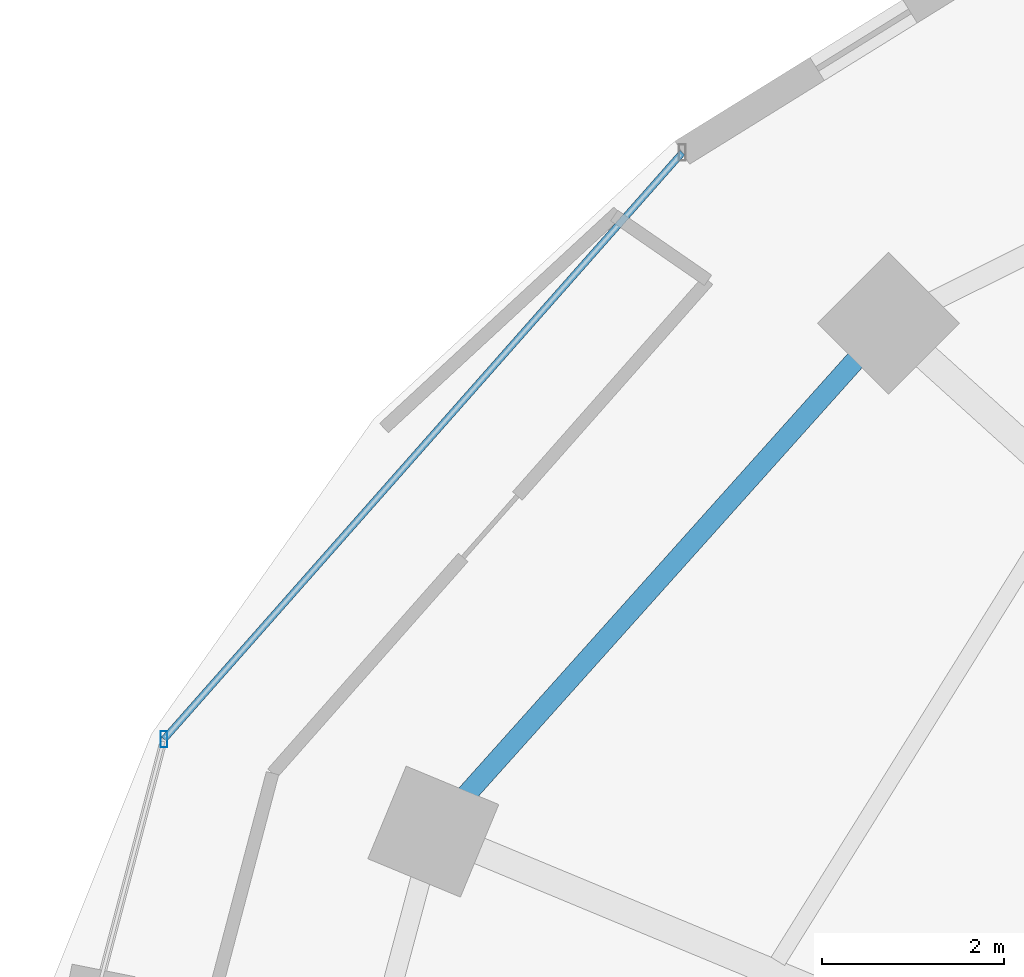
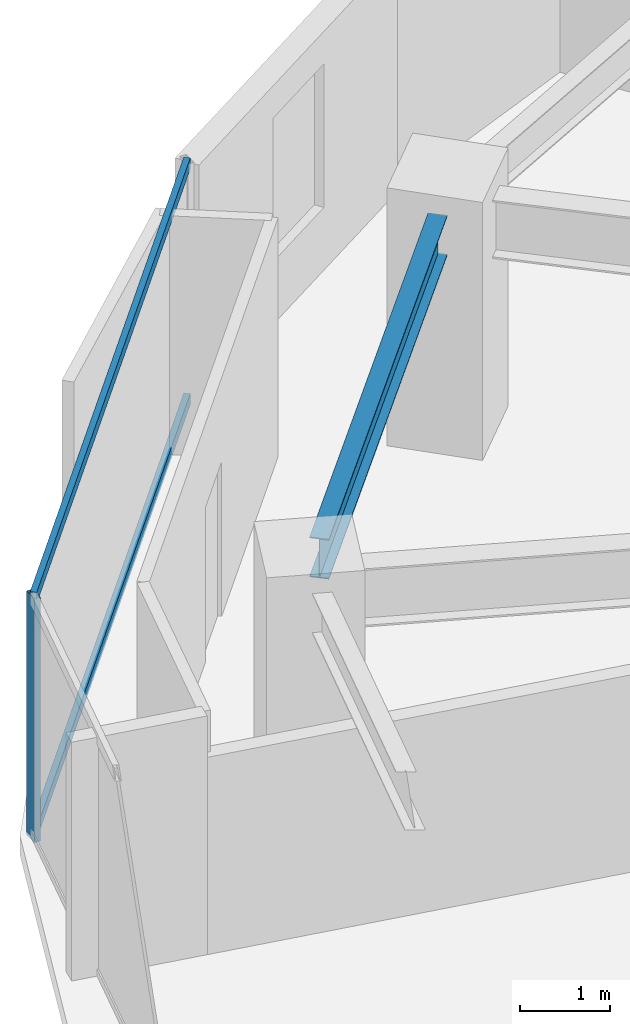
# One storey, part 9 of 29: 3 members, 1 beam, 1 element without a shape of its own.
"""IFC4 building model written with IfcOpenShell, lengths in metres."""

from ifc_helpers import new_model, si_unit, direction, frame, origin, origin_2d, place, context, subcontext, project, spatial, hollow_rectangle, i_section, extrude, material, material_profile, profile_set, type_object, element, aggregate, save


model = new_model("IFC4")

# Units and contexts
model_context = context("Model", 3, precision=1e-05, world=origin(), true_north=direction((0.0, 1.0)))
body_context = subcontext(model_context, "Body", "Model", "MODEL_VIEW")
ifc_project = project(units=[si_unit("LENGTHUNIT", "METRE"), si_unit("AREAUNIT", "SQUARE_METRE"), si_unit("VOLUMEUNIT", "CUBIC_METRE"), si_unit("PLANEANGLEUNIT", "RADIAN"), si_unit("MASSUNIT", "GRAM", prefix="KILO")], contexts=[model_context])

# Site, building, storey
site_placement = place(None, origin())
site = spatial("IfcSite", under=ifc_project, at=site_placement, CompositionType="ELEMENT")
building_placement = place(site_placement, origin())
building = spatial("IfcBuilding", under=site, at=building_placement, Name="Vorneva Point Tower", CompositionType="ELEMENT")
storey_placement = place(building_placement, frame((0.0, 0.0, 85.800048828125)))
storey = spatial("IfcBuildingStorey", under=building, at=storey_placement, Name="L22", CompositionType="ELEMENT", Elevation=85.800048828125)

# Beam
ifc_material_1 = material(Name="Steel S355", Category="steel")
ifc_material_profile_1 = material_profile(ifc_material_1, i_section(OverallWidth=0.219970703125, OverallDepth=0.54296875, WebThickness=0.009521484375, FlangeThickness=0.013427734375, at=origin_2d()), Name="55B1")
ifc_profile_set_1 = profile_set([ifc_material_profile_1], Name="Steel S355")
beam_type = type_object("IfcBeamType", Name="BM-SPN-55B1", PredefinedType="SPANDREL", material=ifc_profile_set_1)
beam_placement = place(storey_placement, frame((21.34423828125, 37.763671875, 2.968505859375), z_axis=(-0.667073815664, -0.744991627105, 0.0), x_axis=(0.744991627105, -0.667073815664, 0.0)))
element("IfcBeam", 1, at=beam_placement, inside=storey, type_object=beam_type, Name="L22 Perimeter Spandrel Ring Beam 07", PredefinedType="SPANDREL", context=body_context, shape_type="SweptSolid", body=[
    extrude(i_section(OverallWidth=0.219970703125, OverallDepth=0.54296875, WebThickness=0.009521484375, FlangeThickness=0.013427734375, at=origin_2d()), origin(), (0.0, 0.0, 1.0), 6.420166015625),
])

# Curtain wall, members
ifc_material_2 = material(Name="Pale anodised aluminium", Category="aluminium")
curtain_wall_type = type_object("IfcCurtainWallType", Name="CW-HTL-SYS", PredefinedType="NOTDEFINED", material=ifc_material_2)
curtain_wall_placement = place(storey_placement, origin())
curtain_wall = element("IfcCurtainWall", 2, at=curtain_wall_placement, inside=storey, type_object=curtain_wall_type, Name="L22 Unitised Curtain Wall CW-L22-R02", PredefinedType="NOTDEFINED")
ifc_material_profile_2 = material_profile(ifc_material_2, hollow_rectangle(XDim=0.074951171875, YDim=0.179931640625, WallThickness=0.00390625, at=origin_2d()), Name="AL-MUL 180x75x4")
ifc_profile_set_2 = profile_set([ifc_material_profile_2], Name="Pale anodised aluminium")
member_type_1 = type_object("IfcMemberType", Name="CW-MUL-180", PredefinedType="MULLION", material=ifc_profile_set_2)
member_1_placement = place(storey_placement, frame((13.748291015625, 33.59619140625, -0.0400390625), z_axis=(0.0, 0.0, 1.0), x_axis=(1.0, 0.0, 0.0)))
member_1 = element("IfcMember", 3, at=member_1_placement, type_object=member_type_1, Name="CW-L22-R02 Mullion 02", PredefinedType="MULLION", context=body_context, shape_type="SweptSolid", body=[
    extrude(hollow_rectangle(XDim=0.074951171875, YDim=0.179931640625, WallThickness=0.00390625, at=origin_2d()), origin(), (0.0, 0.0, 1.0), 3.31005859375),
])
ifc_material_profile_3 = material_profile(ifc_material_2, hollow_rectangle(XDim=0.074951171875, YDim=0.14990234375, WallThickness=0.00390625, at=origin_2d()), Name="AL-TRN 150x75x4")
ifc_profile_set_3 = profile_set([ifc_material_profile_3], Name="Pale anodised aluminium")
member_type_2 = type_object("IfcMemberType", Name="CW-TRN-150", PredefinedType="USERDEFINED", material=ifc_profile_set_3)
member_2_placement = place(storey_placement, frame((19.4384765625, 40.0361328125, 0.02001953125), z_axis=(-0.662137326257, -0.74938251993, 0.0), x_axis=(0.74938251993, -0.662137326257, 0.0)))
member_2 = element("IfcMember", 4, at=member_2_placement, type_object=member_type_2, Name="CW-L22-R02 Transom 01.1", ObjectType="TRANSOM", PredefinedType="USERDEFINED", context=body_context, shape_type="SweptSolid", body=[
    extrude(hollow_rectangle(XDim=0.074951171875, YDim=0.14990234375, WallThickness=0.00390625, at=origin_2d()), origin(), (0.0, 0.0, 1.0), 8.59375),
])
member_3_placement = place(storey_placement, frame((19.4384765625, 40.0361328125, 3.219970703125), z_axis=(-0.662137326257, -0.74938251993, 0.0), x_axis=(0.74938251993, -0.662137326257, 0.0)))
member_3 = element("IfcMember", 5, at=member_3_placement, type_object=member_type_2, Name="CW-L22-R02 Transom 01.2", ObjectType="TRANSOM", PredefinedType="USERDEFINED", context=body_context, shape_type="SweptSolid", body=[
    extrude(hollow_rectangle(XDim=0.074951171875, YDim=0.14990234375, WallThickness=0.00390625, at=origin_2d()), origin(), (0.0, 0.0, 1.0), 8.59375),
])
aggregate(curtain_wall, [member_1, member_2, member_3])

save(model, "model.ifc")
